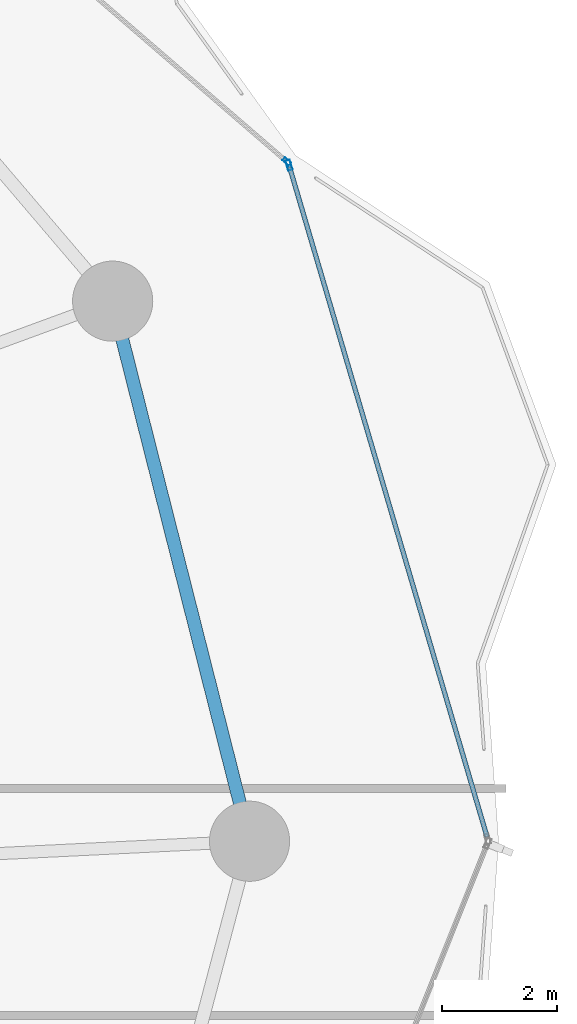
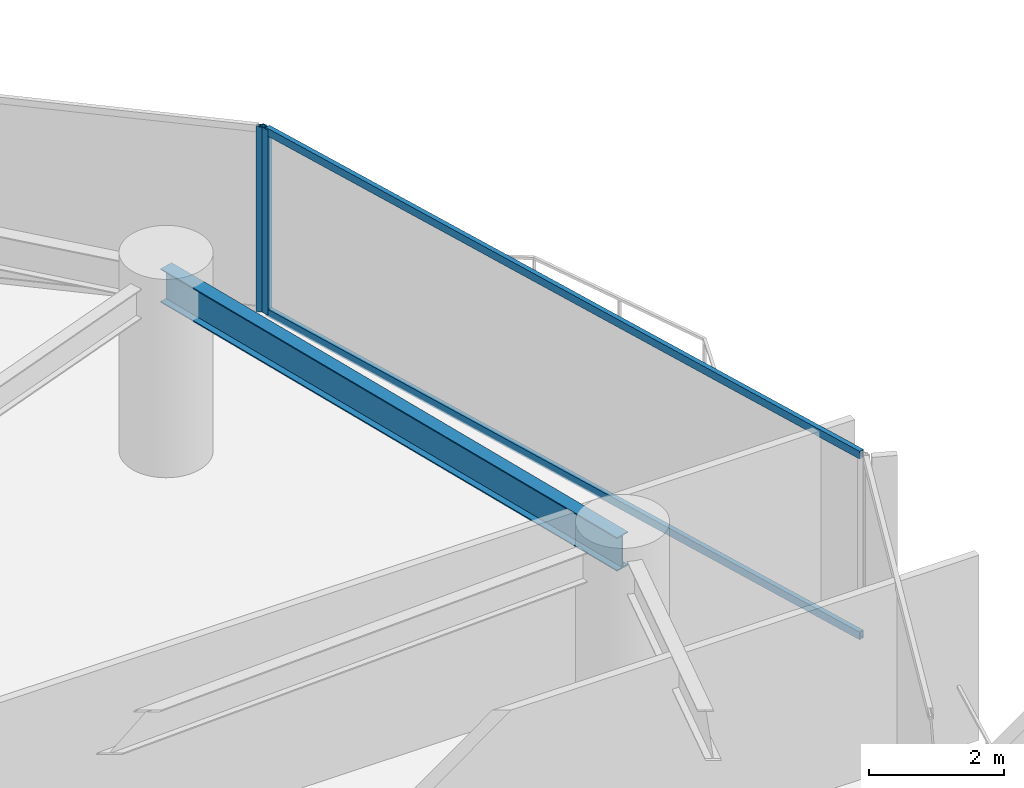
# One storey, part 24 of 33: 4 members, 1 beam, 2 elements without a shape of their own.
"""IFC4 building model written with IfcOpenShell, lengths in metres."""

from ifc_helpers import new_model, si_unit, direction, frame, origin, origin_2d, place, context, subcontext, project, spatial, hollow_rectangle, i_section, extrude, material, layer, layer_set, material_profile, profile_set, type_object, element, aggregate, save


model = new_model("IFC4")

# Units and contexts
model_context = context("Model", 3, precision=1e-05, world=origin(), true_north=direction((0.0, 1.0)))
body_context = subcontext(model_context, "Body", "Model", "MODEL_VIEW")
ifc_project = project(units=[si_unit("LENGTHUNIT", "METRE"), si_unit("AREAUNIT", "SQUARE_METRE"), si_unit("VOLUMEUNIT", "CUBIC_METRE"), si_unit("PLANEANGLEUNIT", "RADIAN"), si_unit("MASSUNIT", "GRAM", prefix="KILO")], contexts=[model_context])

# Site, building, storey
site_placement = place(None, origin())
site = spatial("IfcSite", under=ifc_project, at=site_placement, CompositionType="ELEMENT")
building_placement = place(site_placement, origin())
building = spatial("IfcBuilding", under=site, at=building_placement, Name="Kazevale Care Tower and Concert Hall", CompositionType="ELEMENT")
storey_placement = place(building_placement, frame((0.0, 0.0, 27.60009765625)))
storey = spatial("IfcBuildingStorey", under=building, at=storey_placement, Name="L06", CompositionType="ELEMENT", Elevation=27.60009765625)

# Curtain wall, member
ifc_material_1 = material(Name="Aluminium 6063-T6 and Low-E Glass", Category="aluminium")
ifc_layer_1 = layer(ifc_material_1, 0.179931640625)
ifc_layer_set_1 = layer_set([ifc_layer_1], Name="Aluminium 6063-T6 and Low-E Glass")
curtain_wall_type_1 = type_object("IfcCurtainWallType", Name="Convex Recessed Sunroom Curtain Wall CW-3", PredefinedType="NOTDEFINED", material=ifc_layer_set_1)
curtain_wall_1_placement = place(storey_placement, origin())
curtain_wall_1 = element("IfcCurtainWall", 1, at=curtain_wall_1_placement, inside=storey, type_object=curtain_wall_type_1, Name="cw:L06:f17", PredefinedType="NOTDEFINED")
ifc_material_2 = material(Name="Aluminium 6063-T6", Category="aluminium")
ifc_material_profile_1 = material_profile(ifc_material_2, hollow_rectangle(XDim=0.074951171875, YDim=0.14990234375, WallThickness=0.00390625, at=origin_2d()), Name="ALU75x150x4")
ifc_profile_set_1 = profile_set([ifc_material_profile_1], Name="Aluminium 6063-T6")
member_type_1 = type_object("IfcMemberType", Name="CW-3 Mullion ALU75x150x4", PredefinedType="MULLION", material=ifc_profile_set_1)
member_1_placement = place(storey_placement, frame((77.099609375, 49.867431640625, 0.0), z_axis=(0.0, 0.0, 1.0), x_axis=(0.653183596561, 0.757199570248, 0.0)))
member_1 = element("IfcMember", 2, at=member_1_placement, type_object=member_type_1, Name="CW-3 mullion 2", PredefinedType="MULLION", context=body_context, shape_type="SweptSolid", body=[
    extrude(hollow_rectangle(XDim=0.074951171875, YDim=0.14990234375, WallThickness=0.00390625, at=origin_2d()), origin(), (0.0, 0.0, 1.0), 3.35986328125),
])
aggregate(curtain_wall_1, [member_1])

# Curtain wall, members
ifc_layer_2 = layer(ifc_material_1, 0.179931640625)
ifc_layer_set_2 = layer_set([ifc_layer_2], Name="Aluminium 6063-T6 and Low-E Glass")
curtain_wall_type_2 = type_object("IfcCurtainWallType", Name="Waist & Upper Residential Curtain Wall CW-4", PredefinedType="NOTDEFINED", material=ifc_layer_set_2)
curtain_wall_2_placement = place(storey_placement, origin())
curtain_wall_2 = element("IfcCurtainWall", 3, at=curtain_wall_2_placement, inside=storey, type_object=curtain_wall_type_2, Name="cw:L06:f18", PredefinedType="NOTDEFINED")
ifc_material_profile_2 = material_profile(ifc_material_2, hollow_rectangle(XDim=0.080078125, YDim=0.179931640625, WallThickness=0.0048828125, at=origin_2d()), Name="ALU80x180x5")
ifc_profile_set_2 = profile_set([ifc_material_profile_2], Name="Aluminium 6063-T6")
member_type_2 = type_object("IfcMemberType", Name="CW-4 Mullion ALU80x180x5", PredefinedType="MULLION", material=ifc_profile_set_2)
member_2_placement = place(storey_placement, frame((77.139404296875, 49.8046875, 0.0), z_axis=(0.0, 0.0, 1.0), x_axis=(0.959173119586, 0.282819600918, 0.0)))
member_2 = element("IfcMember", 4, at=member_2_placement, type_object=member_type_2, Name="CW-4 mullion 1", PredefinedType="MULLION", context=body_context, shape_type="SweptSolid", body=[
    extrude(hollow_rectangle(XDim=0.080078125, YDim=0.179931640625, WallThickness=0.0048828125, at=origin_2d()), origin(), (0.0, 0.0, 1.0), 3.35986328125),
])
ifc_material_profile_3 = material_profile(ifc_material_2, hollow_rectangle(XDim=0.080078125, YDim=0.139892578125, WallThickness=0.00390625, at=origin_2d()), Name="ALU80x140x4")
ifc_profile_set_3 = profile_set([ifc_material_profile_3], Name="Aluminium 6063-T6")
member_type_3 = type_object("IfcMemberType", Name="CW-4 Transom ALU80x140x4", PredefinedType="USERDEFINED", material=ifc_profile_set_3)
member_3_placement = place(storey_placement, frame((77.150634765625, 49.766357421875, 0.039794921875), z_axis=(0.282818078945, -0.95917356835, 0.0), x_axis=(0.95917356835, 0.282818078945, 0.0)))
member_3 = element("IfcMember", 5, at=member_3_placement, type_object=member_type_3, Name="CW-4 transom 1.1", ObjectType="TRANSOM", PredefinedType="USERDEFINED", context=body_context, shape_type="SweptSolid", body=[
    extrude(hollow_rectangle(XDim=0.080078125, YDim=0.139892578125, WallThickness=0.00390625, at=origin_2d()), origin(), (0.0, 0.0, 1.0), 12.187255859375),
])
member_4_placement = place(storey_placement, frame((77.150634765625, 49.766357421875, 3.31982421875), z_axis=(0.282818078945, -0.95917356835, 0.0), x_axis=(0.95917356835, 0.282818078945, 0.0)))
member_4 = element("IfcMember", 6, at=member_4_placement, type_object=member_type_3, Name="CW-4 transom 1.2", ObjectType="TRANSOM", PredefinedType="USERDEFINED", context=body_context, shape_type="SweptSolid", body=[
    extrude(hollow_rectangle(XDim=0.080078125, YDim=0.139892578125, WallThickness=0.00390625, at=origin_2d()), origin(), (0.0, 0.0, 1.0), 12.187255859375),
])
aggregate(curtain_wall_2, [member_2, member_3, member_4])

# Beam
ifc_material_3 = material(Name="Steel ASTM A572 Gr 50", Category="steel")
ifc_material_profile_4 = material_profile(ifc_material_3, i_section(OverallWidth=0.22900390625, OverallDepth=0.612060546875, WebThickness=0.011962890625, FlangeThickness=0.01953125, at=origin_2d()), Name="W610x125")
ifc_profile_set_4 = profile_set([ifc_material_profile_4], Name="Steel ASTM A572 Gr 50")
beam_type = type_object("IfcBeamType", Name="Ring Spandrel Beam W610x125", PredefinedType="SPANDREL", material=ifc_profile_set_4)
beam_placement = place(storey_placement, frame((76.449951171875, 38.0, 3.053955078125), z_axis=(-0.245669948409, 0.969353535326, 0.0), x_axis=(-0.969353535326, -0.245669948409, 0.0)))
element("IfcBeam", 7, at=beam_placement, inside=storey, type_object=beam_type, Name="beam:L06:ring:01", PredefinedType="SPANDREL", context=body_context, shape_type="SweptSolid", body=[
    extrude(i_section(OverallWidth=0.22900390625, OverallDepth=0.612060546875, WebThickness=0.011962890625, FlangeThickness=0.01953125, at=origin_2d()), origin(), (0.0, 0.0, 1.0), 9.72802734375),
])

save(model, "model.ifc")
